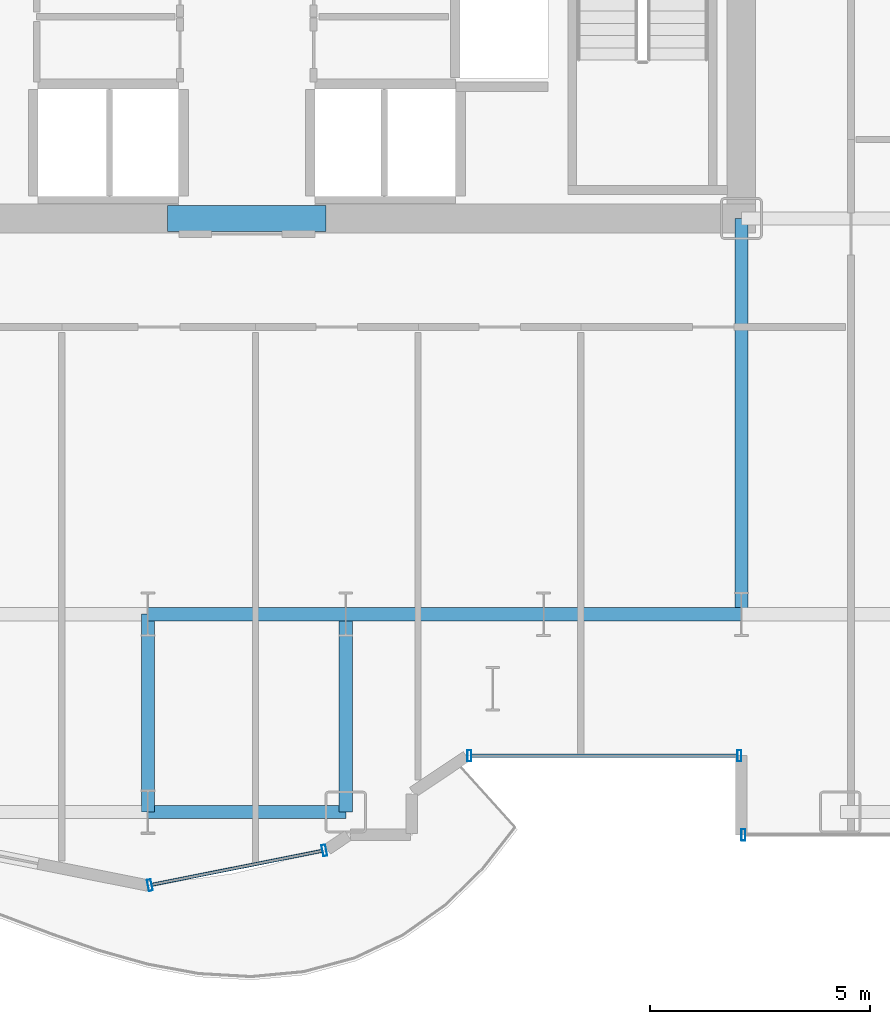
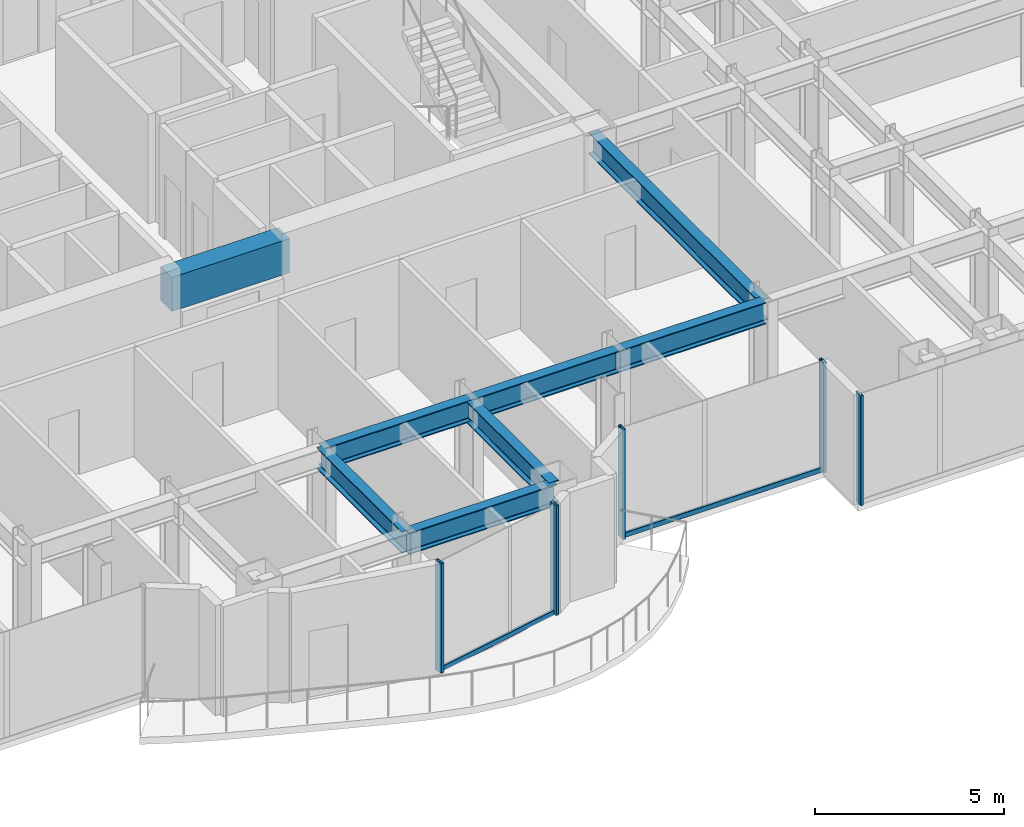
# One storey, part 8 of 29: 8 beams, 7 members, 3 elements without a shape of their own.
"""IFC4 building model written with IfcOpenShell, lengths in metres."""

from ifc_helpers import new_model, si_unit, direction, frame, origin, origin_2d, place, context, subcontext, project, spatial, rectangle, hollow_rectangle, i_section, extrude, source, transform, mapped, material, layer, layer_set, material_profile, profile_set, type_object, element, aggregate, save


model = new_model("IFC4")

# Units and contexts
model_context = context("Model", 3, precision=1e-05, world=origin(), true_north=direction((0.0, 1.0)))
body_context = subcontext(model_context, "Body", "Model", "MODEL_VIEW")
ifc_project = project(units=[si_unit("LENGTHUNIT", "METRE"), si_unit("AREAUNIT", "SQUARE_METRE"), si_unit("VOLUMEUNIT", "CUBIC_METRE"), si_unit("PLANEANGLEUNIT", "RADIAN"), si_unit("MASSUNIT", "GRAM", prefix="KILO")], contexts=[model_context])

# Site, building, storey
site_placement = place(None, origin())
site = spatial("IfcSite", under=ifc_project, at=site_placement, CompositionType="ELEMENT")
building_placement = place(site_placement, origin())
building = spatial("IfcBuilding", under=site, at=building_placement, Name="Nefas-Gora Pilgrimage Tower", CompositionType="ELEMENT")
storey_placement = place(building_placement, frame((0.0, 0.0, 44.39990234375)))
storey = spatial("IfcBuildingStorey", under=building, at=storey_placement, Name="L09", CompositionType="ELEMENT", Elevation=44.39990234375)

# Beams
ifc_material_1 = material(Name="Concrete C60/75", Category="concrete")
ifc_material_profile_1 = material_profile(ifc_material_1, rectangle(XDim=0.60009765625, YDim=1.10009765625, at=origin_2d()), Name="RC 600x1100")
ifc_profile_set_1 = profile_set([ifc_material_profile_1], Name="Concrete C60/75")
beam_type_1 = type_object("IfcBeamType", Name="BM-LIN-RC1100", PredefinedType="LINTEL", material=ifc_profile_set_1)
shared_shape_1 = source(origin(), body_context, "Body", "SweptSolid", [
    extrude(rectangle(XDim=0.60009765625, YDim=1.10009765625, at=origin_2d()), origin(), (0.0, 0.0, 1.0), 3.60009765625),
])
beam_1_placement = place(storey_placement, frame((-1.800048828125, -9.0, 3.0), z_axis=(1.0, 0.0, 0.0), x_axis=(0.0, 1.0, 0.0)))
element("IfcBeam", 1, at=beam_1_placement, inside=storey, type_object=beam_type_1, Name="L09 Core Coupling Lintel Beam S", PredefinedType="LINTEL", context=body_context, shape_type="MappedRepresentation", body=[
    mapped(shared_shape_1, transform((0.0, 0.0, 0.0), x_axis=(1.0, 0.0, 0.0), y_axis=(0.0, 1.0, 0.0), z_axis=(0.0, 0.0, 1.0), scale=1.0)),
])
ifc_material_2 = material(Name="Steel S355", Category="steel")
ifc_material_profile_2 = material_profile(ifc_material_2, i_section(OverallWidth=0.300048828125, OverallDepth=0.699951171875, WebThickness=0.01708984375, FlangeThickness=0.031982421875, FilletRadius=0.027099609375, at=origin_2d()), Name="HEB 700")
ifc_profile_set_2 = profile_set([ifc_material_profile_2], Name="Steel S355")
beam_type_2 = type_object("IfcBeamType", Name="BM-GIR-HEB700", PredefinedType="BEAM", material=ifc_profile_set_2)
shared_shape_2 = source(origin(), body_context, "Body", "SweptSolid", [
    extrude(i_section(OverallWidth=0.300048828125, OverallDepth=0.699951171875, WebThickness=0.01708984375, FlangeThickness=0.031982421875, FilletRadius=0.027099609375, at=origin_2d()), origin(), (0.0, 0.0, 1.0), 9.0),
])
beam_2_placement = place(storey_placement, frame((11.25, -18.0, 3.2001953125), z_axis=(0.0, 1.0, 0.0), x_axis=(-1.0, 0.0, 0.0)))
element("IfcBeam", 2, at=beam_2_placement, inside=storey, type_object=beam_type_2, Name="L09 G-02 beam", PredefinedType="BEAM", context=body_context, shape_type="MappedRepresentation", body=[
    mapped(shared_shape_2, transform((0.0, 0.0, 0.0), x_axis=(1.0, 0.0, 0.0), y_axis=(0.0, 1.0, 0.0), z_axis=(0.0, 0.0, 1.0), scale=1.0)),
])
shared_shape_3 = source(origin(), body_context, "Body", "SweptSolid", [
    extrude(i_section(OverallWidth=0.300048828125, OverallDepth=0.699951171875, WebThickness=0.01708984375, FlangeThickness=0.031982421875, FilletRadius=0.027099609375, at=origin_2d()), origin(), (0.0, 0.0, 1.0), 4.5),
])
for number, where, z_axis, x_axis, name in (
    (3, (-2.25, -22.5, 3.2001953125), (0.0, 1.0, 0.0), (-1.0, 0.0, 0.0), "L09 G-02 beam"),
    (4, (-2.25, -22.5, 3.2001953125), (1.0, 0.0, 0.0), (0.0, 1.0, 0.0), "L09 G-02 beam"),
    (5, (-2.25, -18.0, 3.2001953125), (1.0, 0.0, 0.0), (0.0, 1.0, 0.0), "L09 G-02 beam"),
    (6, (2.25, -22.5, 3.2001953125), (0.0, 1.0, 0.0), (-1.0, 0.0, 0.0), "L09 G-02 beam"),
    (7, (2.25, -18.0, 3.2001953125), (1.0, 0.0, 0.0), (0.0, 1.0, 0.0), "L09 G-02 beam"),
    (8, (6.75, -18.0, 3.2001953125), (1.0, 0.0, 0.0), (0.0, 1.0, 0.0), "L09 G-02 beam"),
):
    element("IfcBeam", number, at=place(storey_placement, frame(where, z_axis=z_axis, x_axis=x_axis)), inside=storey, type_object=beam_type_2, Name=name, PredefinedType="BEAM", context=body_context, shape_type="MappedRepresentation", body=[
        mapped(shared_shape_3, transform((0.0, 0.0, 0.0), x_axis=(1.0, 0.0, 0.0), y_axis=(0.0, 1.0, 0.0), z_axis=(0.0, 0.0, 1.0), scale=1.0)),
    ])

# Curtain wall, members
ifc_material_3 = material(Name="Dark ceramic-fritted solar-control aluminium-glass curtain wall", Category="aluminium")
ifc_layer_1 = layer(ifc_material_3, 0.219970703125)
ifc_layer_set_1 = layer_set([ifc_layer_1], Name="Dark ceramic-fritted solar-control aluminium-glass curtain wall")
curtain_wall_type_1 = type_object("IfcCurtainWallType", Name="CW-SYS-5", PredefinedType="NOTDEFINED", material=ifc_layer_set_1)
curtain_wall_1_placement = place(storey_placement, origin())
curtain_wall_1 = element("IfcCurtainWall", 9, at=curtain_wall_1_placement, inside=storey, type_object=curtain_wall_type_1, Name="L09 Unitised Curtain Wall CW5", PredefinedType="NOTDEFINED")
ifc_material_4 = material(Name="Anodised architectural aluminium", Category="aluminium")
ifc_material_profile_3 = material_profile(ifc_material_4, hollow_rectangle(XDim=0.090087890625, YDim=0.260009765625, WallThickness=0.006103515625, InnerFilletRadius=0.006103515625, OuterFilletRadius=0.011962890625, at=origin_2d()), Name="ALU MULLION 90x260")
ifc_profile_set_3 = profile_set([ifc_material_profile_3], Name="Anodised architectural aluminium")
member_type_1 = type_object("IfcMemberType", Name="CWM-MUL-5", PredefinedType="MULLION", material=ifc_profile_set_3)
shared_shape_4 = source(origin(), body_context, "Body", "SweptSolid", [
    extrude(hollow_rectangle(XDim=0.090087890625, YDim=0.260009765625, WallThickness=0.006103515625, InnerFilletRadius=0.006103515625, OuterFilletRadius=0.011962890625, at=origin_2d()), origin(), (0.0, 0.0, 1.0), 3.550048828125),
])
member_1_placement = place(storey_placement, frame((5.06298828125, -21.219970703125, 0.0), z_axis=(0.0, 0.0, 1.0), x_axis=(1.0, 0.0, 0.0)))
member_1 = element("IfcMember", 10, at=member_1_placement, type_object=member_type_1, Name="CW5 Mullion 1", PredefinedType="MULLION", context=body_context, shape_type="MappedRepresentation", body=[
    mapped(shared_shape_4, transform((0.0, 0.0, 0.0), x_axis=(1.0, 0.0, 0.0), y_axis=(0.0, 1.0, 0.0), z_axis=(0.0, 0.0, 1.0), scale=1.0)),
])
member_2_placement = place(storey_placement, frame((11.205078125, -21.219970703125, 0.0), z_axis=(0.0, 0.0, 1.0), x_axis=(1.0, 0.0, 0.0)))
member_2 = element("IfcMember", 11, at=member_2_placement, type_object=member_type_1, Name="CW5 Mullion 2", PredefinedType="MULLION", context=body_context, shape_type="MappedRepresentation", body=[
    mapped(shared_shape_4, transform((0.0, 0.0, 0.0), x_axis=(1.0, 0.0, 0.0), y_axis=(0.0, 1.0, 0.0), z_axis=(0.0, 0.0, 1.0), scale=1.0)),
])

curtain_wall_2_placement = place(storey_placement, origin())
curtain_wall_2 = element("IfcCurtainWall", 12, at=curtain_wall_2_placement, inside=storey, type_object=curtain_wall_type_1, Name="L09 Unitised Curtain Wall CW5", PredefinedType="NOTDEFINED")
member_3_placement = place(storey_placement, frame((-2.205810546875, -24.16357421875, 0.0), z_axis=(0.0, 0.0, 1.0), x_axis=(0.980782896852, 0.195102304554, 0.0)))
member_3 = element("IfcMember", 13, at=member_3_placement, type_object=member_type_1, Name="CW5 Mullion 1", PredefinedType="MULLION", context=body_context, shape_type="MappedRepresentation", body=[
    mapped(shared_shape_4, transform((0.0, 0.0, 0.0), x_axis=(1.0, 0.0, 0.0), y_axis=(0.0, 1.0, 0.0), z_axis=(0.0, 0.0, 1.0), scale=1.0)),
])
member_4_placement = place(storey_placement, frame((1.76318359375, -23.3740234375, 0.0), z_axis=(0.0, 0.0, 1.0), x_axis=(0.980782896852, 0.195102304554, 0.0)))
member_4 = element("IfcMember", 14, at=member_4_placement, type_object=member_type_1, Name="CW5 Mullion 2", PredefinedType="MULLION", context=body_context, shape_type="MappedRepresentation", body=[
    mapped(shared_shape_4, transform((0.0, 0.0, 0.0), x_axis=(1.0, 0.0, 0.0), y_axis=(0.0, 1.0, 0.0), z_axis=(0.0, 0.0, 1.0), scale=1.0)),
])

# Member
ifc_material_profile_4 = material_profile(ifc_material_4, hollow_rectangle(XDim=0.080078125, YDim=0.159912109375, WallThickness=0.00439453125, InnerFilletRadius=0.00439453125, OuterFilletRadius=0.009033203125, at=origin_2d()), Name="ALU TRANSOM 80x160")
ifc_profile_set_4 = profile_set([ifc_material_profile_4], Name="Anodised architectural aluminium")
member_type_2 = type_object("IfcMemberType", Name="CWM-TRN-5", PredefinedType="USERDEFINED", material=ifc_profile_set_4)
shared_shape_5 = source(origin(), body_context, "Body", "SweptSolid", [
    extrude(hollow_rectangle(XDim=0.080078125, YDim=0.159912109375, WallThickness=0.00439453125, InnerFilletRadius=0.00439453125, OuterFilletRadius=0.009033203125, at=origin_2d()), origin(), (0.0, 0.0, 1.0), 6.052001953125),
])
member_5_placement = place(storey_placement, frame((5.10791015625, -21.219970703125, 0.050048828125), z_axis=(1.0, 0.0, 0.0), x_axis=(0.0, 1.0, 0.0)))
member_5 = element("IfcMember", 15, at=member_5_placement, type_object=member_type_2, Name="CW5 Spandrel Transom", ObjectType="TRANSOM", PredefinedType="USERDEFINED", context=body_context, shape_type="MappedRepresentation", body=[
    mapped(shared_shape_5, transform((0.0, 0.0, 0.0), x_axis=(1.0, 0.0, 0.0), y_axis=(0.0, 1.0, 0.0), z_axis=(0.0, 0.0, 1.0), scale=1.0)),
])

aggregate(curtain_wall_1, [member_1, member_2, member_5])

# Curtain wall, member
ifc_layer_2 = layer(ifc_material_3, 0.219970703125)
ifc_layer_set_2 = layer_set([ifc_layer_2], Name="Dark ceramic-fritted solar-control aluminium-glass curtain wall")
curtain_wall_type_2 = type_object("IfcCurtainWallType", Name="CW-SYS-2", PredefinedType="NOTDEFINED", material=ifc_layer_set_2)
curtain_wall_3_placement = place(storey_placement, origin())
curtain_wall_3 = element("IfcCurtainWall", 16, at=curtain_wall_3_placement, inside=storey, type_object=curtain_wall_type_2, Name="L09 Unitised Curtain Wall CW2", PredefinedType="NOTDEFINED")
ifc_material_profile_5 = material_profile(ifc_material_4, hollow_rectangle(XDim=0.090087890625, YDim=0.260009765625, WallThickness=0.006103515625, InnerFilletRadius=0.006103515625, OuterFilletRadius=0.011962890625, at=origin_2d()), Name="ALU MULLION 90x260")
ifc_profile_set_5 = profile_set([ifc_material_profile_5], Name="Anodised architectural aluminium")
member_type_3 = type_object("IfcMemberType", Name="CWM-MUL-2", PredefinedType="MULLION", material=ifc_profile_set_5)
shared_shape_6 = source(origin(), body_context, "Body", "SweptSolid", [
    extrude(hollow_rectangle(XDim=0.090087890625, YDim=0.260009765625, WallThickness=0.006103515625, InnerFilletRadius=0.006103515625, OuterFilletRadius=0.011962890625, at=origin_2d()), origin(), (0.0, 0.0, 1.0), 3.550048828125),
])
member_6_placement = place(storey_placement, frame((11.294921875, -23.02001953125, 0.0), z_axis=(0.0, 0.0, 1.0), x_axis=(1.0, 0.0, 0.0)))
member_6 = element("IfcMember", 17, at=member_6_placement, type_object=member_type_3, Name="CW2 Mullion 1", PredefinedType="MULLION", context=body_context, shape_type="MappedRepresentation", body=[
    mapped(shared_shape_6, transform((0.0, 0.0, 0.0), x_axis=(1.0, 0.0, 0.0), y_axis=(0.0, 1.0, 0.0), z_axis=(0.0, 0.0, 1.0), scale=1.0)),
])
aggregate(curtain_wall_3, [member_6])

# Member
shared_shape_7 = source(origin(), body_context, "Body", "SweptSolid", [
    extrude(hollow_rectangle(XDim=0.080078125, YDim=0.159912109375, WallThickness=0.00439453125, InnerFilletRadius=0.00439453125, OuterFilletRadius=0.009033203125, at=origin_2d()), origin(), (0.0, 0.0, 1.0), 3.95654296875),
])
member_7_placement = place(storey_placement, frame((-2.16162109375, -24.15478515625, 0.050048828125), z_axis=(0.980781880918, 0.195107411605, 0.0), x_axis=(-0.195107411605, 0.980781880918, 0.0)))
member_7 = element("IfcMember", 18, at=member_7_placement, type_object=member_type_2, Name="CW5 Spandrel Transom", ObjectType="TRANSOM", PredefinedType="USERDEFINED", context=body_context, shape_type="MappedRepresentation", body=[
    mapped(shared_shape_7, transform((0.0, 0.0, 0.0), x_axis=(1.0, 0.0, 0.0), y_axis=(0.0, 1.0, 0.0), z_axis=(0.0, 0.0, 1.0), scale=1.0)),
])

aggregate(curtain_wall_2, [member_3, member_4, member_7])

save(model, "model.ifc")
